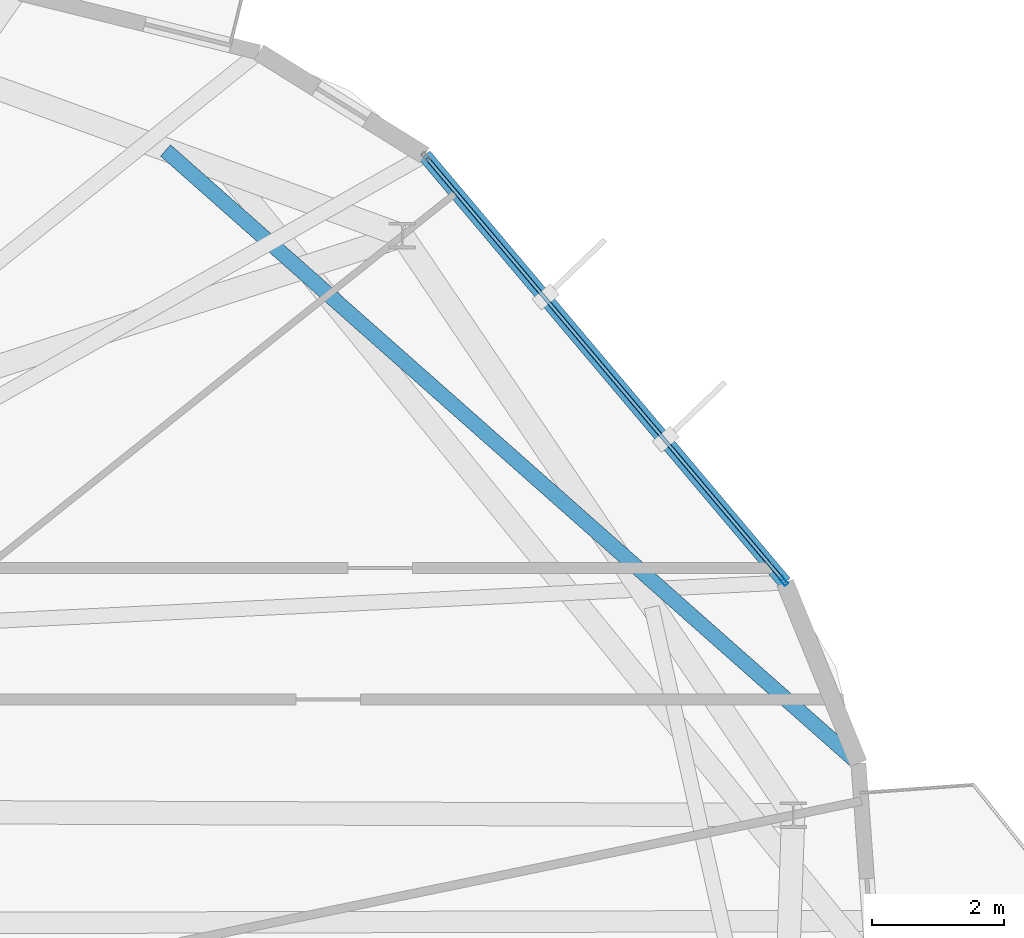
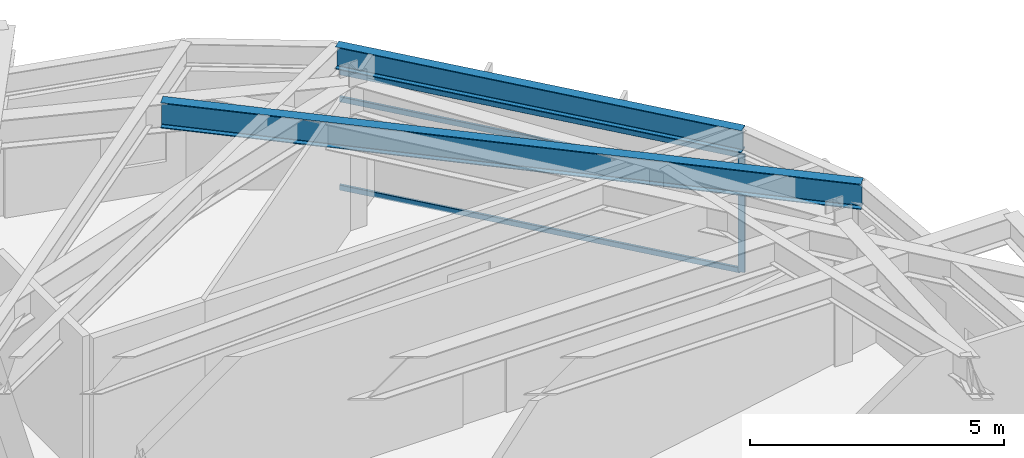
# One storey, part 16 of 26: 4 members, 2 beams, 1 element without a shape of its own.
"""IFC4 building model written with IfcOpenShell, lengths in metres."""

from ifc_helpers import new_model, si_unit, direction, frame, origin, origin_2d, place, context, subcontext, project, spatial, hollow_rectangle, i_section, extrude, material, layer, layer_set, material_profile, profile_set, type_object, element, aggregate, save


model = new_model("IFC4")

# Units and contexts
model_context = context("Model", 3, precision=1e-05, world=origin(), true_north=direction((0.0, 1.0)))
body_context = subcontext(model_context, "Body", "Model", "MODEL_VIEW")
ifc_project = project(units=[si_unit("LENGTHUNIT", "METRE"), si_unit("AREAUNIT", "SQUARE_METRE"), si_unit("VOLUMEUNIT", "CUBIC_METRE"), si_unit("PLANEANGLEUNIT", "RADIAN"), si_unit("MASSUNIT", "GRAM", prefix="KILO")], contexts=[model_context])

# Site, building, storey
site_placement = place(None, origin())
site = spatial("IfcSite", under=ifc_project, at=site_placement, CompositionType="ELEMENT")
building_placement = place(site_placement, origin())
building = spatial("IfcBuilding", under=site, at=building_placement, Name="Soratama Intermodal Tower", CompositionType="ELEMENT")
storey_placement = place(building_placement, frame((0.0, 0.0, 246.25)))
storey = spatial("IfcBuildingStorey", under=building, at=storey_placement, Name="L62", CompositionType="ELEMENT", Elevation=246.25)

# Beams
ifc_material_1 = material(Name="Structural steel ASTM A992 Grade 50", Category="steel")
ifc_material_profile_1 = material_profile(ifc_material_1, i_section(OverallWidth=0.2099609375, OverallDepth=0.537109375, WebThickness=0.010986328125, FlangeThickness=0.017333984375, FilletRadius=0.012939453125, at=origin_2d()), Name="W21X68")
ifc_profile_set_1 = profile_set([ifc_material_profile_1], Name="Structural steel ASTM A992 Grade 50")
beam_type_1 = type_object("IfcBeamType", Name="BM-SPN-W21X68", PredefinedType="SPANDREL", material=ifc_profile_set_1)
beam_1_placement = place(storey_placement, frame((61.407958984375, 33.278076171875, 3.181396484375), z_axis=(-0.644685810534, 0.764447647453, 0.0), x_axis=(-0.764447647453, -0.644685810534, 0.0)))
element("IfcBeam", 1, at=beam_1_placement, inside=storey, type_object=beam_type_1, Name="BS-L62-F10", PredefinedType="SPANDREL", context=body_context, shape_type="SweptSolid", body=[
    extrude(i_section(OverallWidth=0.2099609375, OverallDepth=0.537109375, WebThickness=0.010986328125, FlangeThickness=0.017333984375, FilletRadius=0.012939453125, at=origin_2d()), origin(), (0.0, 0.0, 1.0), 8.498779296875),
])
ifc_material_2 = material(Name="Structural steel ASTM A992 Grade 50", Category="steel")
ifc_material_profile_2 = material_profile(ifc_material_2, i_section(OverallWidth=0.22900390625, OverallDepth=0.612060546875, WebThickness=0.011962890625, FlangeThickness=0.01953125, FilletRadius=0.012939453125, at=origin_2d()), Name="W24X84")
ifc_profile_set_2 = profile_set([ifc_material_profile_2], Name="Structural steel ASTM A992 Grade 50")
beam_type_2 = type_object("IfcBeamType", Name="BM-TIE-W24X84", PredefinedType="BEAM", material=ifc_profile_set_2)
beam_2_placement = place(storey_placement, frame((51.989013671875, 39.84912109375, 3.14404296875), z_axis=(0.749066457525, -0.662494862026, 0.0), x_axis=(0.662494862026, 0.749066457525, 0.0)))
element("IfcBeam", 2, at=beam_2_placement, inside=storey, type_object=beam_type_2, Name="BM-L62-TIE1-09", PredefinedType="BEAM", context=body_context, shape_type="SweptSolid", body=[
    extrude(i_section(OverallWidth=0.22900390625, OverallDepth=0.612060546875, WebThickness=0.011962890625, FlangeThickness=0.01953125, FilletRadius=0.012939453125, at=origin_2d()), origin(), (0.0, 0.0, 1.0), 14.066650390625),
])

# Curtain wall, members
ifc_material_3 = material(Name="Double-glazed aluminium curtain wall", Category="aluminium")
ifc_layer = layer(ifc_material_3, 0.159912109375)
ifc_layer_set = layer_set([ifc_layer], Name="Double-glazed aluminium curtain wall")
curtain_wall_type = type_object("IfcCurtainWallType", Name="CW-SYS-5", PredefinedType="NOTDEFINED", material=ifc_layer_set)
curtain_wall_placement = place(storey_placement, origin())
curtain_wall = element("IfcCurtainWall", 3, at=curtain_wall_placement, inside=storey, type_object=curtain_wall_type, Name="L62 Faceted Curtain Wall F10", PredefinedType="NOTDEFINED")
ifc_material_4 = material(Name="Anodised aluminium AA 6063-T6", Category="aluminium")
ifc_material_profile_3 = material_profile(ifc_material_4, hollow_rectangle(XDim=0.06494140625, YDim=0.139892578125, WallThickness=0.0048828125, InnerFilletRadius=0.0048828125, OuterFilletRadius=0.010009765625, at=origin_2d()), Name="CWM140X65X5")
ifc_profile_set_3 = profile_set([ifc_material_profile_3], Name="Anodised aluminium AA 6063-T6")
member_type_1 = type_object("IfcMemberType", Name="MT-CWM-5", PredefinedType="MULLION", material=ifc_profile_set_3)
member_1_placement = place(storey_placement, frame((61.38916015625, 33.300537109375, 0.0), z_axis=(0.0, 0.0, 1.0), x_axis=(-0.764466500912, -0.644663454047, 0.0)))
member_1 = element("IfcMember", 4, at=member_1_placement, type_object=member_type_1, Name="CW-5 mullion 1", PredefinedType="MULLION", context=body_context, shape_type="SweptSolid", body=[
    extrude(hollow_rectangle(XDim=0.06494140625, YDim=0.139892578125, WallThickness=0.0048828125, InnerFilletRadius=0.0048828125, OuterFilletRadius=0.010009765625, at=origin_2d()), origin(), (0.0, 0.0, 1.0), 2.8291015625),
])
ifc_material_5 = material(Name="Anodised aluminium AA 6063-T6", Category="aluminium")
ifc_material_profile_4 = material_profile(ifc_material_5, hollow_rectangle(XDim=0.06005859375, YDim=0.1298828125, WallThickness=0.0048828125, InnerFilletRadius=0.0048828125, OuterFilletRadius=0.010009765625, at=origin_2d()), Name="CWT130X60X5")
ifc_profile_set_4 = profile_set([ifc_material_profile_4], Name="Anodised aluminium AA 6063-T6")
member_type_2 = type_object("IfcMemberType", Name="TT-CWT-2", PredefinedType="USERDEFINED", material=ifc_profile_set_4)
member_2_placement = place(storey_placement, frame((61.36962890625, 33.323486328125, 0.030029296875), z_axis=(-0.644664030792, 0.76446601455, 0.0), x_axis=(-0.76446601455, -0.644664030792, 0.0)))
member_2 = element("IfcMember", 5, at=member_2_placement, type_object=member_type_2, Name="CW-5 transom 1.1", ObjectType="TRANSOM", PredefinedType="USERDEFINED", context=body_context, shape_type="SweptSolid", body=[
    extrude(hollow_rectangle(XDim=0.06005859375, YDim=0.1298828125, WallThickness=0.0048828125, InnerFilletRadius=0.0048828125, OuterFilletRadius=0.010009765625, at=origin_2d()), origin(), (0.0, 0.0, 1.0), 8.379638671875),
])
member_3_placement = place(storey_placement, frame((61.36962890625, 33.323486328125, 2.14990234375), z_axis=(-0.644664030792, 0.76446601455, 0.0), x_axis=(-0.76446601455, -0.644664030792, 0.0)))
member_3 = element("IfcMember", 6, at=member_3_placement, type_object=member_type_2, Name="CW-5 transom 1.2", ObjectType="TRANSOM", PredefinedType="USERDEFINED", context=body_context, shape_type="SweptSolid", body=[
    extrude(hollow_rectangle(XDim=0.06005859375, YDim=0.1298828125, WallThickness=0.0048828125, InnerFilletRadius=0.0048828125, OuterFilletRadius=0.010009765625, at=origin_2d()), origin(), (0.0, 0.0, 1.0), 8.379638671875),
])
member_4_placement = place(storey_placement, frame((61.36962890625, 33.323486328125, 2.799072265625), z_axis=(-0.644664030792, 0.76446601455, 0.0), x_axis=(-0.76446601455, -0.644664030792, 0.0)))
member_4 = element("IfcMember", 7, at=member_4_placement, type_object=member_type_2, Name="CW-5 transom 1.3", ObjectType="TRANSOM", PredefinedType="USERDEFINED", context=body_context, shape_type="SweptSolid", body=[
    extrude(hollow_rectangle(XDim=0.06005859375, YDim=0.1298828125, WallThickness=0.0048828125, InnerFilletRadius=0.0048828125, OuterFilletRadius=0.010009765625, at=origin_2d()), origin(), (0.0, 0.0, 1.0), 8.379638671875),
])
aggregate(curtain_wall, [member_1, member_2, member_3, member_4])

save(model, "model.ifc")
